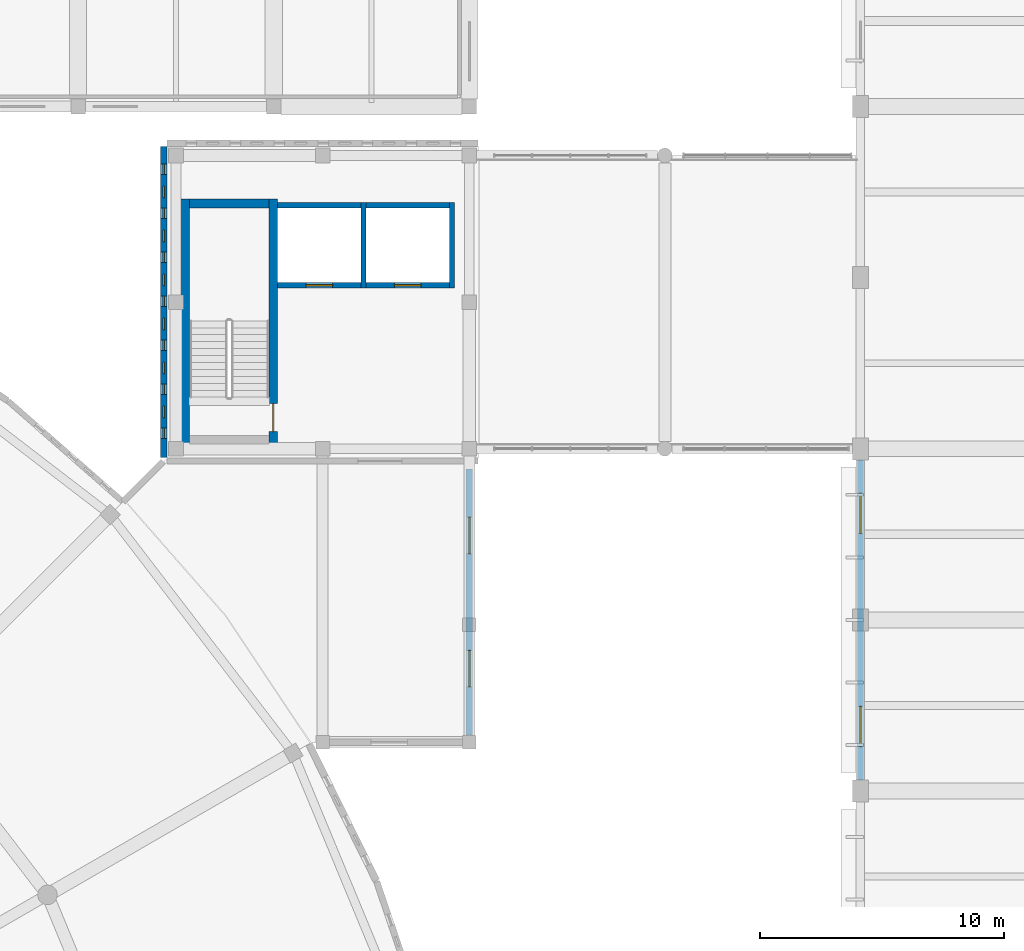
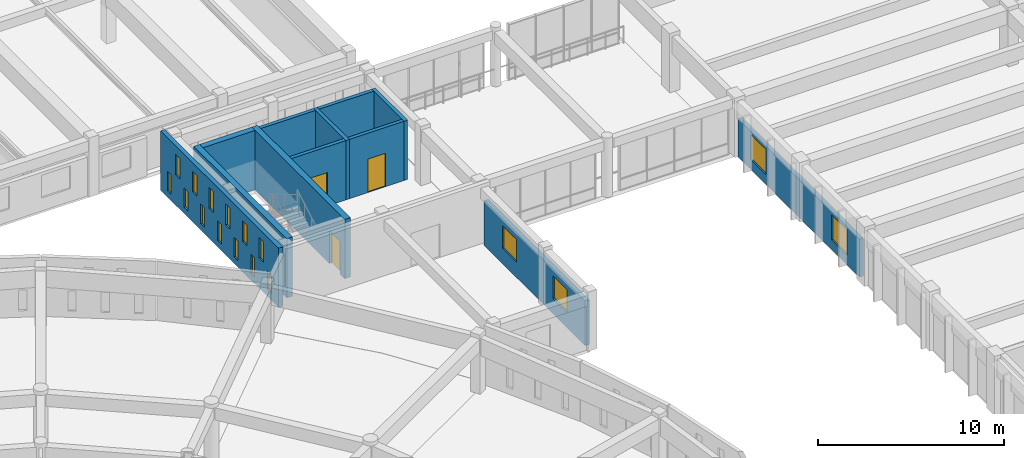
# One storey, part 70 of 98: 17 windows, 12 walls, 3 doors, 20 openings.
"""IFC4 building model written with IfcOpenShell, lengths in metres."""

from ifc_helpers import new_model, si_unit, direction, frame, frame_2d, origin, place, context, subcontext, project, spatial, rectangle, extrude, material, layer, layer_set, type_object, element, fill, save


model = new_model("IFC4")

# Units and contexts
model_context = context("Model", 3, precision=1e-05, world=origin(), true_north=direction((0.0, 1.0)))
body_context = subcontext(model_context, "Body", "Model", "MODEL_VIEW")
ifc_project = project(units=[si_unit("LENGTHUNIT", "METRE"), si_unit("AREAUNIT", "SQUARE_METRE"), si_unit("VOLUMEUNIT", "CUBIC_METRE"), si_unit("PLANEANGLEUNIT", "RADIAN"), si_unit("MASSUNIT", "GRAM", prefix="KILO")], contexts=[model_context])

# Site, building, storey
site_placement = place(None, origin())
site = spatial("IfcSite", under=ifc_project, at=site_placement, CompositionType="ELEMENT")
building_placement = place(site_placement, origin())
building = spatial("IfcBuilding", under=site, at=building_placement, Name="Larkveld Mobility Hub", CompositionType="ELEMENT")
storey_placement = place(building_placement, frame((0.0, 0.0, 4.5)))
storey = spatial("IfcBuildingStorey", under=building, at=storey_placement, Name="L01", CompositionType="ELEMENT", Elevation=4.5)

# Wall, openings, windows
ifc_material_1 = material(Name="Fired clay brick 25 MPa", Category="masonry")
ifc_layer_1 = layer(ifc_material_1, 0.260009765625, Name="Fired clay brick 25 MPa", Category="masonry")
ifc_layer_set_1 = layer_set([ifc_layer_1], Name="Fired clay brick 25 MPa")
wall_type_1 = type_object("IfcWallType", Name="WL-BRK-260", PredefinedType="USERDEFINED", material=ifc_layer_set_1)
wall_1_placement = place(storey_placement, frame((83.5, 96.360107421875, 0.0), z_axis=(0.0, 0.0, 1.0), x_axis=(0.0, -1.0, 0.0)))
wall_1 = element("IfcWall", 1, at=wall_1_placement, inside=storey, type_object=wall_type_1, Name="Square Brick Pavilion W Wall L01-0144", ObjectType="PERFORATED BRICK SCREEN", PredefinedType="USERDEFINED", context=body_context, shape_type="SweptSolid", body=[
    extrude(rectangle(XDim=12.72021484375, YDim=0.260009765625, at=frame_2d((6.360107421875, 0.0))), origin(), (0.0, 0.0, 1.0), 3.89990234375),
])
opening_1_placement = place(wall_1_placement, frame((0.719970703125, 0.0, 0.419921875)))
opening_1 = element("IfcOpeningElement", 2, at=opening_1_placement, cuts=wall_1, Name="Opening W01", PredefinedType="OPENING", context=body_context, shape_type="SweptSolid", body=[
    extrude(rectangle(XDim=0.419921875, YDim=1.280029296875, at=frame_2d((0.2099609375, 0.64013671875))), frame((0.0, 0.14013671875, 0.0), z_axis=(0.0, -1.0, 0.0), x_axis=(1.0, 0.0, 0.0)), (0.0, 0.0, 1.0), 0.280029296875),
])
opening_2_placement = place(wall_1_placement, frame((2.52001953125, 0.0, 0.419921875)))
opening_2 = element("IfcOpeningElement", 3, at=opening_2_placement, cuts=wall_1, Name="Opening W01", PredefinedType="OPENING", context=body_context, shape_type="SweptSolid", body=[
    extrude(rectangle(XDim=0.419921875, YDim=1.280029296875, at=frame_2d((0.2099609375, 0.64013671875))), frame((0.0, 0.14013671875, 0.0), z_axis=(0.0, -1.0, 0.0), x_axis=(1.0, 0.0, 0.0)), (0.0, 0.0, 1.0), 0.280029296875),
])
opening_3_placement = place(wall_1_placement, frame((4.320068359375, 0.0, 0.419921875)))
opening_3 = element("IfcOpeningElement", 4, at=opening_3_placement, cuts=wall_1, Name="Opening W01", PredefinedType="OPENING", context=body_context, shape_type="SweptSolid", body=[
    extrude(rectangle(XDim=0.419921875, YDim=1.280029296875, at=frame_2d((0.2099609375, 0.64013671875))), frame((0.0, 0.14013671875, 0.0), z_axis=(0.0, -1.0, 0.0), x_axis=(1.0, 0.0, 0.0)), (0.0, 0.0, 1.0), 0.280029296875),
])
opening_4_placement = place(wall_1_placement, frame((6.1201171875, 0.0, 0.419921875)))
opening_4 = element("IfcOpeningElement", 5, at=opening_4_placement, cuts=wall_1, Name="Opening W01", PredefinedType="OPENING", context=body_context, shape_type="SweptSolid", body=[
    extrude(rectangle(XDim=0.419921875, YDim=1.280029296875, at=frame_2d((0.2099609375, 0.64013671875))), frame((0.0, 0.14013671875, 0.0), z_axis=(0.0, -1.0, 0.0), x_axis=(1.0, 0.0, 0.0)), (0.0, 0.0, 1.0), 0.280029296875),
])
opening_5_placement = place(wall_1_placement, frame((7.919921875, 0.0, 0.419921875)))
opening_5 = element("IfcOpeningElement", 6, at=opening_5_placement, cuts=wall_1, Name="Opening W01", PredefinedType="OPENING", context=body_context, shape_type="SweptSolid", body=[
    extrude(rectangle(XDim=0.419921875, YDim=1.280029296875, at=frame_2d((0.2099609375, 0.64013671875))), frame((0.0, 0.14013671875, 0.0), z_axis=(0.0, -1.0, 0.0), x_axis=(1.0, 0.0, 0.0)), (0.0, 0.0, 1.0), 0.280029296875),
])
opening_6_placement = place(wall_1_placement, frame((9.719970703125, 0.0, 0.419921875)))
opening_6 = element("IfcOpeningElement", 7, at=opening_6_placement, cuts=wall_1, Name="Opening W01", PredefinedType="OPENING", context=body_context, shape_type="SweptSolid", body=[
    extrude(rectangle(XDim=0.419921875, YDim=1.280029296875, at=frame_2d((0.2099609375, 0.64013671875))), frame((0.0, 0.14013671875, 0.0), z_axis=(0.0, -1.0, 0.0), x_axis=(1.0, 0.0, 0.0)), (0.0, 0.0, 1.0), 0.280029296875),
])
opening_7_placement = place(wall_1_placement, frame((11.52001953125, 0.0, 0.419921875)))
opening_7 = element("IfcOpeningElement", 8, at=opening_7_placement, cuts=wall_1, Name="Opening W01", PredefinedType="OPENING", context=body_context, shape_type="SweptSolid", body=[
    extrude(rectangle(XDim=0.419921875, YDim=1.280029296875, at=frame_2d((0.2099609375, 0.64013671875))), frame((0.0, 0.14013671875, 0.0), z_axis=(0.0, -1.0, 0.0), x_axis=(1.0, 0.0, 0.0)), (0.0, 0.0, 1.0), 0.280029296875),
])
opening_8_placement = place(wall_1_placement, frame((1.6201171875, 0.0, 1.97998046875)))
opening_8 = element("IfcOpeningElement", 9, at=opening_8_placement, cuts=wall_1, Name="Opening W03", PredefinedType="OPENING", context=body_context, shape_type="SweptSolid", body=[
    extrude(rectangle(XDim=0.47998046875, YDim=1.360107421875, at=frame_2d((0.239990234375, 0.68017578125))), frame((0.0, 0.14013671875, 0.0), z_axis=(0.0, -1.0, 0.0), x_axis=(1.0, 0.0, 0.0)), (0.0, 0.0, 1.0), 0.280029296875),
])
opening_9_placement = place(wall_1_placement, frame((3.419921875, 0.0, 1.97998046875)))
opening_9 = element("IfcOpeningElement", 10, at=opening_9_placement, cuts=wall_1, Name="Opening W03", PredefinedType="OPENING", context=body_context, shape_type="SweptSolid", body=[
    extrude(rectangle(XDim=0.47998046875, YDim=1.360107421875, at=frame_2d((0.239990234375, 0.68017578125))), frame((0.0, 0.14013671875, 0.0), z_axis=(0.0, -1.0, 0.0), x_axis=(1.0, 0.0, 0.0)), (0.0, 0.0, 1.0), 0.280029296875),
])
opening_10_placement = place(wall_1_placement, frame((5.219970703125, 0.0, 1.97998046875)))
opening_10 = element("IfcOpeningElement", 11, at=opening_10_placement, cuts=wall_1, Name="Opening W03", PredefinedType="OPENING", context=body_context, shape_type="SweptSolid", body=[
    extrude(rectangle(XDim=0.47998046875, YDim=1.360107421875, at=frame_2d((0.239990234375, 0.68017578125))), frame((0.0, 0.14013671875, 0.0), z_axis=(0.0, -1.0, 0.0), x_axis=(1.0, 0.0, 0.0)), (0.0, 0.0, 1.0), 0.280029296875),
])
opening_11_placement = place(wall_1_placement, frame((7.02001953125, 0.0, 1.97998046875)))
opening_11 = element("IfcOpeningElement", 12, at=opening_11_placement, cuts=wall_1, Name="Opening W03", PredefinedType="OPENING", context=body_context, shape_type="SweptSolid", body=[
    extrude(rectangle(XDim=0.47998046875, YDim=1.360107421875, at=frame_2d((0.239990234375, 0.68017578125))), frame((0.0, 0.14013671875, 0.0), z_axis=(0.0, -1.0, 0.0), x_axis=(1.0, 0.0, 0.0)), (0.0, 0.0, 1.0), 0.280029296875),
])
opening_12_placement = place(wall_1_placement, frame((8.820068359375, 0.0, 1.97998046875)))
opening_12 = element("IfcOpeningElement", 13, at=opening_12_placement, cuts=wall_1, Name="Opening W03", PredefinedType="OPENING", context=body_context, shape_type="SweptSolid", body=[
    extrude(rectangle(XDim=0.47998046875, YDim=1.360107421875, at=frame_2d((0.239990234375, 0.68017578125))), frame((0.0, 0.14013671875, 0.0), z_axis=(0.0, -1.0, 0.0), x_axis=(1.0, 0.0, 0.0)), (0.0, 0.0, 1.0), 0.280029296875),
])
opening_13_placement = place(wall_1_placement, frame((10.6201171875, 0.0, 1.97998046875)))
opening_13 = element("IfcOpeningElement", 14, at=opening_13_placement, cuts=wall_1, Name="Opening W03", PredefinedType="OPENING", context=body_context, shape_type="SweptSolid", body=[
    extrude(rectangle(XDim=0.47998046875, YDim=1.360107421875, at=frame_2d((0.239990234375, 0.68017578125))), frame((0.0, 0.14013671875, 0.0), z_axis=(0.0, -1.0, 0.0), x_axis=(1.0, 0.0, 0.0)), (0.0, 0.0, 1.0), 0.280029296875),
])
ifc_material_2 = material(Name="Extruded aluminium ventilation grille", Category="aluminium")
window_type_1 = type_object("IfcWindowType", Name="WN-VENT-01", PartitioningType="SINGLE_PANEL", PredefinedType="WINDOW", material=ifc_material_2)
window_1_placement = place(opening_1_placement, origin())
window_1 = element("IfcWindow", 15, at=window_1_placement, inside=storey, type_object=window_type_1, Name="Window W01 (0730)", OverallHeight=1.280029296875, OverallWidth=0.419921875, PartitioningType="SINGLE_PANEL", PredefinedType="WINDOW", context=body_context, shape_type="SweptSolid", body=[
    extrude(rectangle(XDim=0.419921875, YDim=1.280029296875, at=frame_2d((0.2099609375, 0.64013671875))), frame((0.0, 0.030029296875, 0.0), z_axis=(0.0, -1.0, 0.0), x_axis=(1.0, 0.0, 0.0)), (0.0, 0.0, 1.0), 0.06005859375),
])
fill(opening_1, window_1)
window_2_placement = place(opening_2_placement, origin())
window_2 = element("IfcWindow", 16, at=window_2_placement, inside=storey, type_object=window_type_1, Name="Window W01 (0731)", OverallHeight=1.280029296875, OverallWidth=0.419921875, PartitioningType="SINGLE_PANEL", PredefinedType="WINDOW", context=body_context, shape_type="SweptSolid", body=[
    extrude(rectangle(XDim=0.419921875, YDim=1.280029296875, at=frame_2d((0.2099609375, 0.64013671875))), frame((0.0, 0.030029296875, 0.0), z_axis=(0.0, -1.0, 0.0), x_axis=(1.0, 0.0, 0.0)), (0.0, 0.0, 1.0), 0.06005859375),
])
fill(opening_2, window_2)
window_3_placement = place(opening_3_placement, origin())
window_3 = element("IfcWindow", 17, at=window_3_placement, inside=storey, type_object=window_type_1, Name="Window W01 (0732)", OverallHeight=1.280029296875, OverallWidth=0.419921875, PartitioningType="SINGLE_PANEL", PredefinedType="WINDOW", context=body_context, shape_type="SweptSolid", body=[
    extrude(rectangle(XDim=0.419921875, YDim=1.280029296875, at=frame_2d((0.2099609375, 0.64013671875))), frame((0.0, 0.030029296875, 0.0), z_axis=(0.0, -1.0, 0.0), x_axis=(1.0, 0.0, 0.0)), (0.0, 0.0, 1.0), 0.06005859375),
])
fill(opening_3, window_3)
window_4_placement = place(opening_4_placement, origin())
window_4 = element("IfcWindow", 18, at=window_4_placement, inside=storey, type_object=window_type_1, Name="Window W01 (0733)", OverallHeight=1.280029296875, OverallWidth=0.419921875, PartitioningType="SINGLE_PANEL", PredefinedType="WINDOW", context=body_context, shape_type="SweptSolid", body=[
    extrude(rectangle(XDim=0.419921875, YDim=1.280029296875, at=frame_2d((0.2099609375, 0.64013671875))), frame((0.0, 0.030029296875, 0.0), z_axis=(0.0, -1.0, 0.0), x_axis=(1.0, 0.0, 0.0)), (0.0, 0.0, 1.0), 0.06005859375),
])
fill(opening_4, window_4)
window_5_placement = place(opening_5_placement, origin())
window_5 = element("IfcWindow", 19, at=window_5_placement, inside=storey, type_object=window_type_1, Name="Window W01 (0734)", OverallHeight=1.280029296875, OverallWidth=0.419921875, PartitioningType="SINGLE_PANEL", PredefinedType="WINDOW", context=body_context, shape_type="SweptSolid", body=[
    extrude(rectangle(XDim=0.419921875, YDim=1.280029296875, at=frame_2d((0.2099609375, 0.64013671875))), frame((0.0, 0.030029296875, 0.0), z_axis=(0.0, -1.0, 0.0), x_axis=(1.0, 0.0, 0.0)), (0.0, 0.0, 1.0), 0.06005859375),
])
fill(opening_5, window_5)
window_6_placement = place(opening_6_placement, origin())
window_6 = element("IfcWindow", 20, at=window_6_placement, inside=storey, type_object=window_type_1, Name="Window W01 (0735)", OverallHeight=1.280029296875, OverallWidth=0.419921875, PartitioningType="SINGLE_PANEL", PredefinedType="WINDOW", context=body_context, shape_type="SweptSolid", body=[
    extrude(rectangle(XDim=0.419921875, YDim=1.280029296875, at=frame_2d((0.2099609375, 0.64013671875))), frame((0.0, 0.030029296875, 0.0), z_axis=(0.0, -1.0, 0.0), x_axis=(1.0, 0.0, 0.0)), (0.0, 0.0, 1.0), 0.06005859375),
])
fill(opening_6, window_6)
window_7_placement = place(opening_7_placement, origin())
window_7 = element("IfcWindow", 21, at=window_7_placement, inside=storey, type_object=window_type_1, Name="Window W01 (0736)", OverallHeight=1.280029296875, OverallWidth=0.419921875, PartitioningType="SINGLE_PANEL", PredefinedType="WINDOW", context=body_context, shape_type="SweptSolid", body=[
    extrude(rectangle(XDim=0.419921875, YDim=1.280029296875, at=frame_2d((0.2099609375, 0.64013671875))), frame((0.0, 0.030029296875, 0.0), z_axis=(0.0, -1.0, 0.0), x_axis=(1.0, 0.0, 0.0)), (0.0, 0.0, 1.0), 0.06005859375),
])
fill(opening_7, window_7)
window_type_2 = type_object("IfcWindowType", Name="WN-VENT-03", PartitioningType="SINGLE_PANEL", PredefinedType="WINDOW", material=ifc_material_2)
window_8_placement = place(opening_8_placement, origin())
window_8 = element("IfcWindow", 22, at=window_8_placement, inside=storey, type_object=window_type_2, Name="Window W03 (0737)", OverallHeight=1.360107421875, OverallWidth=0.47998046875, PartitioningType="SINGLE_PANEL", PredefinedType="WINDOW", context=body_context, shape_type="SweptSolid", body=[
    extrude(rectangle(XDim=0.47998046875, YDim=1.360107421875, at=frame_2d((0.239990234375, 0.68017578125))), frame((0.0, 0.030029296875, 0.0), z_axis=(0.0, -1.0, 0.0), x_axis=(1.0, 0.0, 0.0)), (0.0, 0.0, 1.0), 0.06005859375),
])
fill(opening_8, window_8)
window_9_placement = place(opening_9_placement, origin())
window_9 = element("IfcWindow", 23, at=window_9_placement, inside=storey, type_object=window_type_2, Name="Window W03 (0738)", OverallHeight=1.360107421875, OverallWidth=0.47998046875, PartitioningType="SINGLE_PANEL", PredefinedType="WINDOW", context=body_context, shape_type="SweptSolid", body=[
    extrude(rectangle(XDim=0.47998046875, YDim=1.360107421875, at=frame_2d((0.239990234375, 0.68017578125))), frame((0.0, 0.030029296875, 0.0), z_axis=(0.0, -1.0, 0.0), x_axis=(1.0, 0.0, 0.0)), (0.0, 0.0, 1.0), 0.06005859375),
])
fill(opening_9, window_9)
window_10_placement = place(opening_10_placement, origin())
window_10 = element("IfcWindow", 24, at=window_10_placement, inside=storey, type_object=window_type_2, Name="Window W03 (0739)", OverallHeight=1.360107421875, OverallWidth=0.47998046875, PartitioningType="SINGLE_PANEL", PredefinedType="WINDOW", context=body_context, shape_type="SweptSolid", body=[
    extrude(rectangle(XDim=0.47998046875, YDim=1.360107421875, at=frame_2d((0.239990234375, 0.68017578125))), frame((0.0, 0.030029296875, 0.0), z_axis=(0.0, -1.0, 0.0), x_axis=(1.0, 0.0, 0.0)), (0.0, 0.0, 1.0), 0.06005859375),
])
fill(opening_10, window_10)
window_11_placement = place(opening_11_placement, origin())
window_11 = element("IfcWindow", 25, at=window_11_placement, inside=storey, type_object=window_type_2, Name="Window W03 (0740)", OverallHeight=1.360107421875, OverallWidth=0.47998046875, PartitioningType="SINGLE_PANEL", PredefinedType="WINDOW", context=body_context, shape_type="SweptSolid", body=[
    extrude(rectangle(XDim=0.47998046875, YDim=1.360107421875, at=frame_2d((0.239990234375, 0.68017578125))), frame((0.0, 0.030029296875, 0.0), z_axis=(0.0, -1.0, 0.0), x_axis=(1.0, 0.0, 0.0)), (0.0, 0.0, 1.0), 0.06005859375),
])
fill(opening_11, window_11)
window_12_placement = place(opening_12_placement, origin())
window_12 = element("IfcWindow", 26, at=window_12_placement, inside=storey, type_object=window_type_2, Name="Window W03 (0741)", OverallHeight=1.360107421875, OverallWidth=0.47998046875, PartitioningType="SINGLE_PANEL", PredefinedType="WINDOW", context=body_context, shape_type="SweptSolid", body=[
    extrude(rectangle(XDim=0.47998046875, YDim=1.360107421875, at=frame_2d((0.239990234375, 0.68017578125))), frame((0.0, 0.030029296875, 0.0), z_axis=(0.0, -1.0, 0.0), x_axis=(1.0, 0.0, 0.0)), (0.0, 0.0, 1.0), 0.06005859375),
])
fill(opening_12, window_12)
window_13_placement = place(opening_13_placement, origin())
window_13 = element("IfcWindow", 27, at=window_13_placement, inside=storey, type_object=window_type_2, Name="Window W03 (0742)", OverallHeight=1.360107421875, OverallWidth=0.47998046875, PartitioningType="SINGLE_PANEL", PredefinedType="WINDOW", context=body_context, shape_type="SweptSolid", body=[
    extrude(rectangle(XDim=0.47998046875, YDim=1.360107421875, at=frame_2d((0.239990234375, 0.68017578125))), frame((0.0, 0.030029296875, 0.0), z_axis=(0.0, -1.0, 0.0), x_axis=(1.0, 0.0, 0.0)), (0.0, 0.0, 1.0), 0.06005859375),
])
fill(opening_13, window_13)

wall_2_placement = place(storey_placement, frame((96.0, 72.284912109375, 0.0), z_axis=(0.0, 0.0, 1.0), x_axis=(0.0, 1.0, 0.0)))
wall_2 = element("IfcWall", 28, at=wall_2_placement, inside=storey, type_object=wall_type_1, Name="Drum Link East Wall L01-0161", ObjectType="PERFORATED BRICK SCREEN", PredefinedType="USERDEFINED", context=body_context, shape_type="SweptSolid", body=[
    extrude(rectangle(XDim=10.885009765625, YDim=0.260009765625, at=frame_2d((5.4423828125, 0.0))), origin(), (0.0, 0.0, 1.0), 2.945068359375),
])
opening_14_placement = place(wall_2_placement, frame((1.970947265625, 0.0, 1.0)))
opening_14 = element("IfcOpeningElement", 29, at=opening_14_placement, cuts=wall_2, Name="Opening W06", PredefinedType="OPENING", context=body_context, shape_type="SweptSolid", body=[
    extrude(rectangle(XDim=1.5, YDim=1.5, at=frame_2d((0.75, 0.75))), frame((0.0, 0.14013671875, 0.0), z_axis=(0.0, -1.0, 0.0), x_axis=(1.0, 0.0, 0.0)), (0.0, 0.0, 1.0), 0.280029296875),
])
opening_15_placement = place(wall_2_placement, frame((7.4140625, 0.0, 1.0)))
opening_15 = element("IfcOpeningElement", 30, at=opening_15_placement, cuts=wall_2, Name="Opening W06", PredefinedType="OPENING", context=body_context, shape_type="SweptSolid", body=[
    extrude(rectangle(XDim=1.5, YDim=1.5, at=frame_2d((0.75, 0.75))), frame((0.0, 0.14013671875, 0.0), z_axis=(0.0, -1.0, 0.0), x_axis=(1.0, 0.0, 0.0)), (0.0, 0.0, 1.0), 0.280029296875),
])
ifc_material_3 = material(Name="Low-E double glazing in aluminium frame", Category="aluminium")
window_type_3 = type_object("IfcWindowType", Name="WN-ALU-06", PartitioningType="SINGLE_PANEL", PredefinedType="WINDOW", material=ifc_material_3)
window_14_placement = place(opening_14_placement, origin())
window_14 = element("IfcWindow", 31, at=window_14_placement, inside=storey, type_object=window_type_3, Name="Window W06 (0821)", OverallHeight=1.5, OverallWidth=1.5, PartitioningType="SINGLE_PANEL", PredefinedType="WINDOW", context=body_context, shape_type="SweptSolid", body=[
    extrude(rectangle(XDim=1.5, YDim=1.5, at=frame_2d((0.75, 0.75))), frame((0.0, 0.030029296875, 0.0), z_axis=(0.0, -1.0, 0.0), x_axis=(1.0, 0.0, 0.0)), (0.0, 0.0, 1.0), 0.06005859375),
])
fill(opening_14, window_14)
window_15_placement = place(opening_15_placement, origin())
window_15 = element("IfcWindow", 32, at=window_15_placement, inside=storey, type_object=window_type_3, Name="Window W06 (0822)", OverallHeight=1.5, OverallWidth=1.5, PartitioningType="SINGLE_PANEL", PredefinedType="WINDOW", context=body_context, shape_type="SweptSolid", body=[
    extrude(rectangle(XDim=1.5, YDim=1.5, at=frame_2d((0.75, 0.75))), frame((0.0, 0.030029296875, 0.0), z_axis=(0.0, -1.0, 0.0), x_axis=(1.0, 0.0, 0.0)), (0.0, 0.0, 1.0), 0.06005859375),
])
fill(opening_15, window_15)

ifc_material_4 = material(Name="Glazed architectural ceramic masonry 20 MPa", Category="masonry")
ifc_layer_2 = layer(ifc_material_4, 0.2451171875, Name="Glazed architectural ceramic masonry 20 MPa", Category="masonry")
ifc_layer_set_2 = layer_set([ifc_layer_2], Name="Glazed architectural ceramic masonry 20 MPa")
wall_type_2 = type_object("IfcWallType", Name="WL-COB-245", PredefinedType="USERDEFINED", material=ifc_layer_set_2)
wall_3_placement = place(storey_placement, frame((112.0, 83.5400390625, 0.0), z_axis=(0.0, 0.0, 1.0), x_axis=(0.0, -1.0, 0.0)))
wall_3 = element("IfcWall", 33, at=wall_3_placement, inside=storey, type_object=wall_type_2, Name="EV Wing West Ventilated Facade L01-0226", ObjectType="CERAMIC COBOGO SCREEN", PredefinedType="USERDEFINED", context=body_context, shape_type="SweptSolid", body=[
    extrude(rectangle(XDim=13.080078125, YDim=0.2451171875, at=frame_2d((6.5400390625, 0.0))), origin(), (0.0, 0.0, 1.0), 2.4951171875),
])
opening_16_placement = place(wall_3_placement, frame((1.35498046875, 0.0, 0.64501953125)))
opening_16 = element("IfcOpeningElement", 34, at=opening_16_placement, cuts=wall_3, Name="Opening W20", PredefinedType="OPENING", context=body_context, shape_type="SweptSolid", body=[
    extrude(rectangle(XDim=1.64990234375, YDim=1.64990234375, at=frame_2d((0.824951171875, 0.824951171875))), frame((0.0, 0.132568359375, 0.0), z_axis=(0.0, -1.0, 0.0), x_axis=(1.0, 0.0, 0.0)), (0.0, 0.0, 1.0), 0.26513671875),
])
opening_17_placement = place(wall_3_placement, frame((10.074951171875, 0.0, 0.64501953125)))
opening_17 = element("IfcOpeningElement", 35, at=opening_17_placement, cuts=wall_3, Name="Opening W20", PredefinedType="OPENING", context=body_context, shape_type="SweptSolid", body=[
    extrude(rectangle(XDim=1.64990234375, YDim=1.64990234375, at=frame_2d((0.824951171875, 0.824951171875))), frame((0.0, 0.132568359375, 0.0), z_axis=(0.0, -1.0, 0.0), x_axis=(1.0, 0.0, 0.0)), (0.0, 0.0, 1.0), 0.26513671875),
])
window_type_4 = type_object("IfcWindowType", Name="WN-ALU-20", PartitioningType="SINGLE_PANEL", PredefinedType="WINDOW", material=ifc_material_3)
window_16_placement = place(opening_16_placement, origin())
window_16 = element("IfcWindow", 36, at=window_16_placement, inside=storey, type_object=window_type_4, Name="Window W20 (1035)", OverallHeight=1.64990234375, OverallWidth=1.64990234375, PartitioningType="SINGLE_PANEL", PredefinedType="WINDOW", context=body_context, shape_type="SweptSolid", body=[
    extrude(rectangle(XDim=1.64990234375, YDim=1.64990234375, at=frame_2d((0.824951171875, 0.824951171875))), frame((0.0, 0.030029296875, 0.0), z_axis=(0.0, -1.0, 0.0), x_axis=(1.0, 0.0, 0.0)), (0.0, 0.0, 1.0), 0.06005859375),
])
fill(opening_16, window_16)
window_17_placement = place(opening_17_placement, origin())
window_17 = element("IfcWindow", 37, at=window_17_placement, inside=storey, type_object=window_type_4, Name="Window W20 (1036)", OverallHeight=1.64990234375, OverallWidth=1.64990234375, PartitioningType="SINGLE_PANEL", PredefinedType="WINDOW", context=body_context, shape_type="SweptSolid", body=[
    extrude(rectangle(XDim=1.64990234375, YDim=1.64990234375, at=frame_2d((0.824951171875, 0.824951171875))), frame((0.0, 0.030029296875, 0.0), z_axis=(0.0, -1.0, 0.0), x_axis=(1.0, 0.0, 0.0)), (0.0, 0.0, 1.0), 0.06005859375),
])
fill(opening_17, window_17)

# Wall
ifc_material_5 = material(Name="Concrete C40/50", Category="concrete")
ifc_layer_3 = layer(ifc_material_5, 0.219970703125, Name="Concrete C40/50", Category="concrete")
ifc_layer_set_3 = layer_set([ifc_layer_3], Name="Concrete C40/50")
wall_type_3 = type_object("IfcWallType", Name="WL-SHF-220", PredefinedType="SHEAR", material=ifc_layer_set_3)
wall_4_placement = place(storey_placement, frame((91.669921875, 94.070068359375, 0.0), z_axis=(0.0, 0.0, 1.0), x_axis=(0.0, -1.0, 0.0)))
element("IfcWall", 38, at=wall_4_placement, inside=storey, type_object=wall_type_3, Name="Lift PL3 Shaft Wall L01-E", PredefinedType="SHEAR", context=body_context, shape_type="SweptSolid", body=[
    extrude(rectangle(XDim=3.489990234375, YDim=0.219970703125, at=frame_2d((1.7451171875, 0.0))), origin(), (0.0, 0.0, 1.0), 3.89990234375),
])

# Wall, opening, door
wall_5_placement = place(storey_placement, frame((91.56005859375, 90.68994140625, 0.0), z_axis=(0.0, 0.0, 1.0), x_axis=(-1.0, 0.0, 0.0)))
wall_5 = element("IfcWall", 39, at=wall_5_placement, inside=storey, type_object=wall_type_3, Name="Lift PL3 Shaft Wall L01-S", PredefinedType="SHEAR", context=body_context, shape_type="SweptSolid", body=[
    extrude(rectangle(XDim=3.400146484375, YDim=0.219970703125, at=frame_2d((1.7001953125, 0.0))), origin(), (0.0, 0.0, 1.0), 3.89990234375),
])
opening_18_placement = place(wall_5_placement, frame((1.14990234375, 0.0, 0.0)))
opening_18 = element("IfcOpeningElement", 40, at=opening_18_placement, cuts=wall_5, Name="Opening LD01", PredefinedType="OPENING", context=body_context, shape_type="SweptSolid", body=[
    extrude(rectangle(XDim=1.10009765625, YDim=2.199951171875, at=frame_2d((0.550048828125, 1.10009765625))), frame((0.0, 0.1201171875, 0.0), z_axis=(0.0, -1.0, 0.0), x_axis=(1.0, 0.0, 0.0)), (0.0, 0.0, 1.0), 0.239990234375),
])
ifc_material_6 = material(Name="Brushed stainless Steel S355JR sliding landing door", Category="steel")
door_type_1 = type_object("IfcDoorType", Name="DR-LD-110", OperationType="DOUBLE_DOOR_SLIDING", PredefinedType="DOOR", material=ifc_material_6)
door_1_placement = place(opening_18_placement, origin())
door_1 = element("IfcDoor", 41, at=door_1_placement, inside=storey, type_object=door_type_1, Name="Lift landing door PL3-L01", OperationType="DOUBLE_DOOR_SLIDING", OverallHeight=2.199951171875, OverallWidth=1.10009765625, PredefinedType="DOOR", context=body_context, shape_type="SweptSolid", body=[
    extrude(rectangle(XDim=1.10009765625, YDim=2.199951171875, at=frame_2d((0.550048828125, 1.10009765625))), frame((0.0, 0.02490234375, 0.0), z_axis=(0.0, -1.0, 0.0), x_axis=(1.0, 0.0, 0.0)), (0.0, 0.0, 1.0), 0.050048828125),
])
fill(opening_18, door_1)

# Walls
wall_6_placement = place(storey_placement, frame((88.159912109375, 93.9599609375, 0.0), z_axis=(0.0, 0.0, 1.0), x_axis=(1.0, 0.0, 0.0)))
element("IfcWall", 42, at=wall_6_placement, inside=storey, type_object=wall_type_3, Name="Lift PL3 Shaft Wall L01-N", PredefinedType="SHEAR", context=body_context, shape_type="SweptSolid", body=[
    extrude(rectangle(XDim=3.400146484375, YDim=0.219970703125, at=frame_2d((1.7001953125, 0.0))), origin(), (0.0, 0.0, 1.0), 3.89990234375),
])
wall_7_placement = place(storey_placement, frame((95.2900390625, 94.070068359375, 0.0), z_axis=(0.0, 0.0, 1.0), x_axis=(0.0, -1.0, 0.0)))
element("IfcWall", 43, at=wall_7_placement, inside=storey, type_object=wall_type_3, Name="Lift PL4 Shaft Wall L01-E", PredefinedType="SHEAR", context=body_context, shape_type="SweptSolid", body=[
    extrude(rectangle(XDim=3.489990234375, YDim=0.219970703125, at=frame_2d((1.7451171875, 0.0))), origin(), (0.0, 0.0, 1.0), 3.89990234375),
])

# Wall, opening, door
wall_8_placement = place(storey_placement, frame((95.179931640625, 90.68994140625, 0.0), z_axis=(0.0, 0.0, 1.0), x_axis=(-1.0, 0.0, 0.0)))
wall_8 = element("IfcWall", 44, at=wall_8_placement, inside=storey, type_object=wall_type_3, Name="Lift PL4 Shaft Wall L01-S", PredefinedType="SHEAR", context=body_context, shape_type="SweptSolid", body=[
    extrude(rectangle(XDim=3.39990234375, YDim=0.219970703125, at=frame_2d((1.699951171875, 0.0))), origin(), (0.0, 0.0, 1.0), 3.89990234375),
])
opening_19_placement = place(wall_8_placement, frame((1.14990234375, 0.0, 0.0)))
opening_19 = element("IfcOpeningElement", 45, at=opening_19_placement, cuts=wall_8, Name="Opening LD01", PredefinedType="OPENING", context=body_context, shape_type="SweptSolid", body=[
    extrude(rectangle(XDim=1.10009765625, YDim=2.199951171875, at=frame_2d((0.550048828125, 1.10009765625))), frame((0.0, 0.1201171875, 0.0), z_axis=(0.0, -1.0, 0.0), x_axis=(1.0, 0.0, 0.0)), (0.0, 0.0, 1.0), 0.239990234375),
])
door_2_placement = place(opening_19_placement, origin())
door_2 = element("IfcDoor", 46, at=door_2_placement, inside=storey, type_object=door_type_1, Name="Lift landing door PL4-L01", OperationType="DOUBLE_DOOR_SLIDING", OverallHeight=2.199951171875, OverallWidth=1.10009765625, PredefinedType="DOOR", context=body_context, shape_type="SweptSolid", body=[
    extrude(rectangle(XDim=1.10009765625, YDim=2.199951171875, at=frame_2d((0.550048828125, 1.10009765625))), frame((0.0, 0.02490234375, 0.0), z_axis=(0.0, -1.0, 0.0), x_axis=(1.0, 0.0, 0.0)), (0.0, 0.0, 1.0), 0.050048828125),
])
fill(opening_19, door_2)

# Walls
wall_9_placement = place(storey_placement, frame((91.780029296875, 93.9599609375, 0.0), z_axis=(0.0, 0.0, 1.0), x_axis=(1.0, 0.0, 0.0)))
element("IfcWall", 47, at=wall_9_placement, inside=storey, type_object=wall_type_3, Name="Lift PL4 Shaft Wall L01-N", PredefinedType="SHEAR", context=body_context, shape_type="SweptSolid", body=[
    extrude(rectangle(XDim=3.39990234375, YDim=0.219970703125, at=frame_2d((1.699951171875, 0.0))), origin(), (0.0, 0.0, 1.0), 3.89990234375),
])
ifc_layer_4 = layer(ifc_material_5, 0.360107421875, Name="Concrete C40/50", Category="concrete")
ifc_layer_set_4 = layer_set([ifc_layer_4], Name="Concrete C40/50")
wall_type_4 = type_object("IfcWallType", Name="WL-SHR-05", PredefinedType="SHEAR", material=ifc_layer_set_4)
wall_10_placement = place(storey_placement, frame((84.3701171875, 84.18994140625, 0.0), z_axis=(0.0, 0.0, 1.0), x_axis=(0.0, 1.0, 0.0)))
element("IfcWall", 48, at=wall_10_placement, inside=storey, type_object=wall_type_4, Name="Core C5 Stair Shear Wall L01-W", PredefinedType="SHEAR", context=body_context, shape_type="SweptSolid", body=[
    extrude(rectangle(XDim=10.02001953125, YDim=0.360107421875, at=frame_2d((5.010009765625, 0.0))), origin(), (0.0, 0.0, 1.0), 3.89990234375),
])

# Wall, opening, door
wall_11_placement = place(storey_placement, frame((87.97998046875, 94.2099609375, 0.0), z_axis=(0.0, 0.0, 1.0), x_axis=(0.0, -1.0, 0.0)))
wall_11 = element("IfcWall", 49, at=wall_11_placement, inside=storey, type_object=wall_type_4, Name="Core C5 Stair Shear Wall L01-E", PredefinedType="SHEAR", context=body_context, shape_type="SweptSolid", body=[
    extrude(rectangle(XDim=10.02001953125, YDim=0.360107421875, at=frame_2d((5.010009765625, 0.0))), origin(), (0.0, 0.0, 1.0), 3.89990234375),
])
opening_20_placement = place(wall_11_placement, frame((8.360107421875, 0.0, 0.0)))
opening_20 = element("IfcOpeningElement", 50, at=opening_20_placement, cuts=wall_11, Name="Opening DF01", PredefinedType="OPENING", context=body_context, shape_type="SweptSolid", body=[
    extrude(rectangle(XDim=1.14990234375, YDim=2.14990234375, at=frame_2d((0.574951171875, 1.074951171875))), frame((0.0, 0.18994140625, 0.0), z_axis=(0.0, -1.0, 0.0), x_axis=(1.0, 0.0, 0.0)), (0.0, 0.0, 1.0), 0.380126953125),
])
ifc_material_7 = material(Name="Pressed Steel S355JR fire door assembly", Category="steel")
door_type_2 = type_object("IfcDoorType", Name="DR-FD120", OperationType="NOTDEFINED", PredefinedType="DOOR", material=ifc_material_7)
door_3_placement = place(opening_20_placement, origin())
door_3 = element("IfcDoor", 51, at=door_3_placement, inside=storey, type_object=door_type_2, Name="Stair ST5 Fire Door L01", OperationType="SINGLE_SWING_LEFT", OverallHeight=2.14990234375, OverallWidth=1.14990234375, PredefinedType="DOOR", context=body_context, shape_type="SweptSolid", body=[
    extrude(rectangle(XDim=1.14990234375, YDim=2.14990234375, at=frame_2d((0.574951171875, 1.074951171875))), frame((0.0, 0.02490234375, 0.0), z_axis=(0.0, -1.0, 0.0), x_axis=(1.0, 0.0, 0.0)), (0.0, 0.0, 1.0), 0.050048828125),
])
fill(opening_20, door_3)

# Wall
wall_12_placement = place(storey_placement, frame((84.550048828125, 94.030029296875, 0.0), z_axis=(0.0, 0.0, 1.0), x_axis=(1.0, 0.0, 0.0)))
element("IfcWall", 52, at=wall_12_placement, inside=storey, type_object=wall_type_4, Name="Core C5 Stair Shear Wall L01-N", PredefinedType="SHEAR", context=body_context, shape_type="SweptSolid", body=[
    extrude(rectangle(XDim=3.25, YDim=0.360107421875, at=frame_2d((1.625, 0.0))), origin(), (0.0, 0.0, 1.0), 3.89990234375),
])

save(model, "model.ifc")
